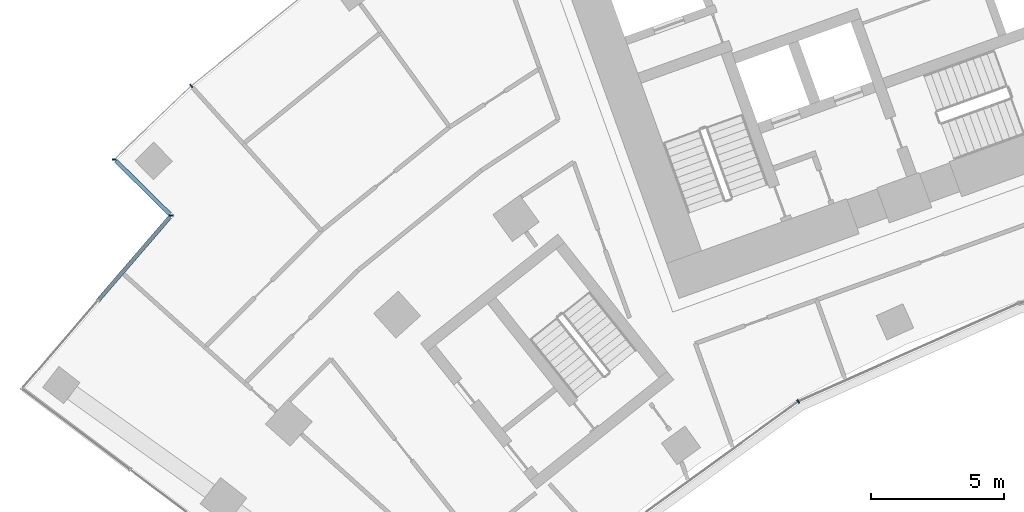
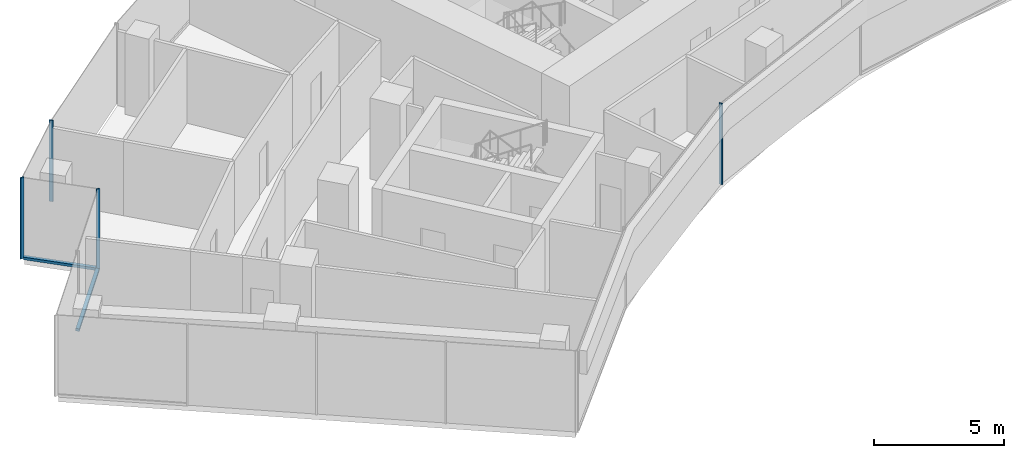
# One storey, part 3 of 20: 6 members, 4 elements without a shape of their own.
"""IFC4 building model written with IfcOpenShell, lengths in metres."""

import ifcopenshell
import ifcopenshell.guid

model = None  # the IFC model being written
_history = None  # IfcOwnerHistory: only IFC2X3 demands one
_inside = {}  # id of a spatial element -> (the spatial element, [elements in it])
_under = {}  # id of a project, library or spatial element -> (it, [spatial elements below it])
_declared = {}  # id of a project -> (the project, [libraries it declares])
_typed = {}  # id of a type object -> (the type object, [elements of that type])
_made_of = {}  # id of a material, layer set ... -> (it, [elements and type objects made of it])


def new_model(schema):
    """Start an empty IFC model of exactly this schema.

    Asked for "IFC4X3", IfcOpenShell would pick the latest addendum, in which some entities
    have other attributes; the version numbers below select the first issue.
    IFC2X3 requires an IfcOwnerHistory on every rooted entity: one is made here for all.
    """
    global model, _history
    if schema == "IFC4X3":
        model = ifcopenshell.file(schema_version=(4, 3, 0, 0))
    else:
        model = ifcopenshell.file(schema=schema)
    _inside.clear()
    _under.clear()
    _declared.clear()
    _typed.clear()
    _made_of.clear()
    _history = None
    if model.schema == "IFC2X3":
        org = make("IfcOrganization", Name="unknown")
        user = make(
            "IfcPersonAndOrganization",
            ThePerson=make("IfcPerson", FamilyName="unknown"),
            TheOrganization=org,
        )
        app = make(
            "IfcApplication",
            ApplicationDeveloper=org,
            Version="unknown",
            ApplicationFullName="unknown",
            ApplicationIdentifier="unknown",
        )
        _history = make(
            "IfcOwnerHistory",
            OwningUser=user,
            OwningApplication=app,
            ChangeAction="ADDED",
            CreationDate=0,
        )
    return model


def make(cls, **values):
    """One entity of the class cls with the attributes given. An attribute that is None is left unset."""
    return model.create_entity(
        cls, **{name: value for name, value in values.items() if value is not None}
    )


def rooted(cls, **values):
    """An entity with a GlobalId (a new one), such as an element, a storey or a relation."""
    return make(cls, GlobalId=ifcopenshell.guid.new(), OwnerHistory=_history, **values)


def si_unit(unit_type, name, prefix=None):
    """IfcSIUnit, for example si_unit("LENGTHUNIT", "METRE", prefix="MILLI")."""
    return make("IfcSIUnit", UnitType=unit_type, Prefix=prefix, Name=name)


def assignment(units):
    """IfcUnitAssignment: the units of a project."""
    return None if units is None else make("IfcUnitAssignment", Units=units)


def point(xyz):
    """IfcCartesianPoint."""
    return None if xyz is None else make("IfcCartesianPoint", Coordinates=xyz)


def direction(xyz):
    """IfcDirection."""
    return None if xyz is None else make("IfcDirection", DirectionRatios=xyz)


def frame(location, z_axis=None, x_axis=None):
    """IfcAxis2Placement3D, a coordinate frame: its origin and axes. An axis left out is left unset."""
    return make(
        "IfcAxis2Placement3D",
        Location=point(location),
        Axis=direction(z_axis),
        RefDirection=direction(x_axis),
    )


def frame_2d(location, x_axis=None):
    """IfcAxis2Placement2D, a coordinate frame in the plane: its origin and x axis."""
    return make(
        "IfcAxis2Placement2D", Location=point(location), RefDirection=direction(x_axis)
    )


def origin():
    """The frame at (0, 0, 0) with its axes left unset."""
    return frame((0.0, 0.0, 0.0))


def origin_2d():
    """The frame at (0, 0) in the plane with its x axis left unset."""
    return frame_2d((0.0, 0.0))


def place(relative_to, where):
    """IfcLocalPlacement: puts the frame where relative to a parent placement (None: the world)."""
    return make(
        "IfcLocalPlacement", PlacementRelTo=relative_to, RelativePlacement=where
    )


def context(
    kind, dimensions, precision=None, world=None, true_north=None, identifier=None
):
    """IfcGeometricRepresentationContext, for example the 3D "Model" context."""
    return make(
        "IfcGeometricRepresentationContext",
        ContextIdentifier=identifier,
        ContextType=kind,
        CoordinateSpaceDimension=dimensions,
        Precision=precision,
        WorldCoordinateSystem=world,
        TrueNorth=true_north,
    )


def subcontext(parent, identifier, kind, view, scale=None):
    """IfcGeometricRepresentationSubContext, for example "Body" below "Model"."""
    return make(
        "IfcGeometricRepresentationSubContext",
        ContextIdentifier=identifier,
        ContextType=kind,
        ParentContext=parent,
        TargetScale=scale,
        TargetView=view,
    )


def project(units=None, contexts=None):
    """IfcProject with its units and contexts."""
    return rooted(
        "IfcProject",
        Name="project",
        RepresentationContexts=contexts,
        UnitsInContext=assignment(units),
    )


def spatial(cls, under=None, at=None, **own):
    """A site, building, storey or space (cls), placed at a placement, below another one or the project."""
    s = rooted(cls, ObjectPlacement=at, **own)
    if under is not None:
        _under.setdefault(under.id(), (under, []))[1].append(s)
    return s


def profile(cls, at=None, kind="AREA", **sizes):
    """A parametric profile (cls). Its sizes go by their IFC names, for example OverallWidth=200.0."""
    return make(cls, ProfileType=kind, Position=at, **sizes)


def rectangle(**sizes):
    """IfcRectangleProfileDef."""
    return profile("IfcRectangleProfileDef", **sizes)


def extrude(swept, where, along, depth):
    """IfcExtrudedAreaSolid: the profile swept, set in the frame where, extruded along a direction by depth."""
    return make(
        "IfcExtrudedAreaSolid",
        SweptArea=swept,
        Position=where,
        ExtrudedDirection=direction(along),
        Depth=depth,
    )


def shape(context_of_items, identifier, shape_type, items):
    """IfcShapeRepresentation: the items that make up one representation, for example the "Body"."""
    return make(
        "IfcShapeRepresentation",
        ContextOfItems=context_of_items,
        RepresentationIdentifier=identifier,
        RepresentationType=shape_type,
        Items=items,
    )


def material(Name=None, Category=None):
    """IfcMaterial."""
    return make("IfcMaterial", Name=Name, Category=Category)


def layer(
    of_material, thickness, ventilated=None, Name=None, Category=None, Priority=None
):
    """IfcMaterialLayer: one layer of a wall or slab, of a material (None: an air gap)."""
    return make(
        "IfcMaterialLayer",
        Material=of_material,
        LayerThickness=thickness,
        IsVentilated=ventilated,
        Name=Name,
        Category=Category,
        Priority=Priority,
    )


def layer_set(layers, Name=None):
    """IfcMaterialLayerSet."""
    return make("IfcMaterialLayerSet", MaterialLayers=layers, LayerSetName=Name)


def material_profile(
    of_material, cross_section, Name=None, Category=None, Priority=None
):
    """IfcMaterialProfile: a cross section and its material."""
    return make(
        "IfcMaterialProfile",
        Name=Name,
        Material=of_material,
        Profile=cross_section,
        Priority=Priority,
        Category=Category,
    )


def profile_set(profiles, Name=None, composite=None):
    """IfcMaterialProfileSet."""
    return make(
        "IfcMaterialProfileSet",
        Name=Name,
        MaterialProfiles=profiles,
        CompositeProfile=composite,
    )


def made_of(thing, what):
    """Note that an element or type object is made of a material, layer set ...; save() writes the relation."""
    if what is not None:
        _made_of.setdefault(what.id(), (what, []))[1].append(thing)
    return thing


def type_object(cls, material=None, **own):
    """A type object (cls), such as IfcWallType, which elements share."""
    return made_of(rooted(cls, **own), material)


def element(
    cls,
    number,
    at=None,
    inside=None,
    cuts=None,
    type_object=None,
    material=None,
    context=None,
    identifier="Body",
    shape_type=None,
    held_by="IfcProductDefinitionShape",
    body=None,
    shapes=None,
    **own,
):
    """One element of the class cls, such as IfcWall. Its Tag is "e" and its number.

    at: its placement. inside: the storey or other place that contains it. cuts: it is an
    opening in that element (IfcRelVoidsElement). A single representation is given by context,
    identifier, shape_type and body (its items); several are given by shapes. held_by: the class
    of the entity that holds the representations. save() writes the other relations.
    """
    e = rooted(cls, Tag="e%d" % number, ObjectPlacement=at, **own)
    if body is not None:
        shapes = [shape(context, identifier, shape_type, body)]
    if shapes is not None:
        e.Representation = make(held_by, Representations=shapes)
    if inside is not None:
        _inside.setdefault(inside.id(), (inside, []))[1].append(e)
    if cuts is not None:
        rooted(
            "IfcRelVoidsElement", RelatingBuildingElement=cuts, RelatedOpeningElement=e
        )
    if type_object is not None:
        _typed.setdefault(type_object.id(), (type_object, []))[1].append(e)
    return made_of(e, material)


def aggregate(whole, parts):
    """IfcRelAggregates: a whole, such as a stair, and the parts it consists of."""
    return rooted("IfcRelAggregates", RelatingObject=whole, RelatedObjects=parts)


def save(model, path):
    """Write the relations noted so far, then the file.

    IfcRelAggregates (storeys below a building ...), IfcRelContainedInSpatialStructure (elements
    in a storey), IfcRelDefinesByType, IfcRelAssociatesMaterial and IfcRelDeclares: one each for
    every whole, place, type object, material and project.
    """
    for whole, parts in _under.values():
        aggregate(whole, parts)
    for where, things in _inside.values():
        rooted(
            "IfcRelContainedInSpatialStructure",
            RelatedElements=things,
            RelatingStructure=where,
        )
    for kind, things in _typed.values():
        rooted("IfcRelDefinesByType", RelatedObjects=things, RelatingType=kind)
    for what, things in _made_of.values():
        rooted("IfcRelAssociatesMaterial", RelatedObjects=things, RelatingMaterial=what)
    for by, libraries in _declared.values():
        rooted("IfcRelDeclares", RelatingContext=by, RelatedDefinitions=libraries)
    model.write(path)


model = new_model("IFC4")

# Units and contexts
model_context = context("Model", 3, precision=1e-05, world=origin(), true_north=direction((0.0, 1.0)))
body_context = subcontext(model_context, "Body", "Model", "MODEL_VIEW")
ifc_project = project(units=[si_unit("LENGTHUNIT", "METRE"), si_unit("AREAUNIT", "SQUARE_METRE"), si_unit("VOLUMEUNIT", "CUBIC_METRE"), si_unit("PLANEANGLEUNIT", "RADIAN"), si_unit("MASSUNIT", "GRAM", prefix="KILO")], contexts=[model_context])

# Site, building, storey
site_placement = place(None, origin())
site = spatial("IfcSite", under=ifc_project, at=site_placement, CompositionType="ELEMENT")
building_placement = place(site_placement, origin())
building = spatial("IfcBuilding", under=site, at=building_placement, Name="Stone Belt Terrace Tower", CompositionType="ELEMENT")
storey_placement = place(building_placement, frame((0.0, 0.0, 170.60009765625)))
storey = spatial("IfcBuildingStorey", under=building, at=storey_placement, Name="L41", CompositionType="ELEMENT", Elevation=170.60009765625)

# Curtain wall, member
ifc_material = material(Name="Aluminium 6063-T6 anodised frame", Category="aluminium")
ifc_layer_1 = layer(ifc_material, 0.14990234375)
ifc_layer_set_1 = layer_set([ifc_layer_1], Name="CW-A unitised convex-face curtain wall")
curtain_wall_type_1 = type_object("IfcCurtainWallType", Name="CW-A unitised convex-face curtain wall", PredefinedType="NOTDEFINED", material=ifc_layer_set_1)
curtain_wall_1_placement = place(storey_placement, origin())
curtain_wall_1 = element("IfcCurtainWall", 1, at=curtain_wall_1_placement, inside=storey, type_object=curtain_wall_type_1, Name="CW-A convex face L41", PredefinedType="NOTDEFINED")
ifc_material_profile_1 = material_profile(ifc_material, rectangle(XDim=0.14990234375, YDim=0.06005859375, at=origin_2d()), Name="Aluminium 6063-T6 60x150")
ifc_profile_set_1 = profile_set([ifc_material_profile_1], Name="Aluminium 6063-T6 anodised frame")
member_type_1 = type_object("IfcMemberType", Name="CW-A mullion 60 x 150", PredefinedType="MULLION", material=ifc_profile_set_1)
member_1_placement = place(storey_placement, frame((-44.546875, 49.4755859375, 0.0), z_axis=(0.0, 0.0, 1.0), x_axis=(0.660573481499, -0.75076139721, 0.0)))
member_1 = element("IfcMember", 2, at=member_1_placement, type_object=member_type_1, Name="CW-A mullion 15", PredefinedType="MULLION", context=body_context, shape_type="SweptSolid", body=[
    extrude(rectangle(XDim=0.14990234375, YDim=0.06005859375, at=origin_2d()), origin(), (0.0, 0.0, 1.0), 3.7998046875),
])
aggregate(curtain_wall_1, [member_1])

ifc_layer_2 = layer(ifc_material, 0.14990234375)
ifc_layer_set_2 = layer_set([ifc_layer_2], Name="CW-B unitised concave-face curtain wall")
curtain_wall_type_2 = type_object("IfcCurtainWallType", Name="CW-B unitised concave-face curtain wall", PredefinedType="NOTDEFINED", material=ifc_layer_set_2)
curtain_wall_2_placement = place(storey_placement, origin())
curtain_wall_2 = element("IfcCurtainWall", 3, at=curtain_wall_2_placement, inside=storey, type_object=curtain_wall_type_2, Name="CW-B concave face L41", PredefinedType="NOTDEFINED")
ifc_material_profile_2 = material_profile(ifc_material, rectangle(XDim=0.14990234375, YDim=0.050048828125, at=origin_2d()), Name="Aluminium 6063-T6 50x150")
ifc_profile_set_2 = profile_set([ifc_material_profile_2], Name="Aluminium 6063-T6 anodised frame")
member_type_2 = type_object("IfcMemberType", Name="CW-B mullion 50 x 150", PredefinedType="MULLION", material=ifc_profile_set_2)
member_2_placement = place(storey_placement, frame((-21.71240234375, 37.606689453125, 0.0), z_axis=(0.0, 0.0, 1.0), x_axis=(-0.5, 0.866025403784, 0.0)))
member_2 = element("IfcMember", 4, at=member_2_placement, type_object=member_type_2, Name="CW-B mullion 3", PredefinedType="MULLION", context=body_context, shape_type="SweptSolid", body=[
    extrude(rectangle(XDim=0.14990234375, YDim=0.050048828125, at=origin_2d()), origin(), (0.0, 0.0, 1.0), 3.7998046875),
])
aggregate(curtain_wall_2, [member_2])

ifc_layer_3 = layer(ifc_material, 0.14990234375)
ifc_layer_set_3 = layer_set([ifc_layer_3], Name="CW-C stick curtain wall, horn ends and notches")
curtain_wall_type_3 = type_object("IfcCurtainWallType", Name="CW-C stick curtain wall, horn ends and notches", PredefinedType="NOTDEFINED", material=ifc_layer_set_3)
curtain_wall_3_placement = place(storey_placement, origin())
curtain_wall_3 = element("IfcCurtainWall", 5, at=curtain_wall_3_placement, inside=storey, type_object=curtain_wall_type_3, Name="CW-C notch face L41", PredefinedType="NOTDEFINED")
ifc_material_profile_3 = material_profile(ifc_material, rectangle(XDim=0.14990234375, YDim=0.06005859375, at=origin_2d()), Name="Aluminium 6063-T6 60x150")
ifc_profile_set_3 = profile_set([ifc_material_profile_3], Name="Aluminium 6063-T6 anodised frame")
member_type_3 = type_object("IfcMemberType", Name="CW-C mullion 60 x 150", PredefinedType="MULLION", material=ifc_profile_set_3)
member_3_placement = place(storey_placement, frame((-47.4365234375, 46.715087890625, 0.0), z_axis=(0.0, 0.0, 1.0), x_axis=(0.999966480105, -0.008187714406, 0.0)))
member_3 = element("IfcMember", 6, at=member_3_placement, type_object=member_type_3, Name="CW-C mullion 1", PredefinedType="MULLION", context=body_context, shape_type="SweptSolid", body=[
    extrude(rectangle(XDim=0.14990234375, YDim=0.06005859375, at=origin_2d()), origin(), (0.0, 0.0, 1.0), 3.7998046875),
])

curtain_wall_4_placement = place(storey_placement, origin())
curtain_wall_4 = element("IfcCurtainWall", 7, at=curtain_wall_4_placement, inside=storey, type_object=curtain_wall_type_3, Name="CW-C notch face L41", PredefinedType="NOTDEFINED")
member_4_placement = place(storey_placement, frame((-45.29638671875, 44.602783203125, 0.0), z_axis=(0.0, 0.0, 1.0), x_axis=(0.999185209744, 0.040359839301, 0.0)))
member_4 = element("IfcMember", 8, at=member_4_placement, type_object=member_type_3, Name="CW-C mullion 1", PredefinedType="MULLION", context=body_context, shape_type="SweptSolid", body=[
    extrude(rectangle(XDim=0.14990234375, YDim=0.06005859375, at=origin_2d()), origin(), (0.0, 0.0, 1.0), 3.7998046875),
])

# Member
ifc_material_profile_4 = material_profile(ifc_material, rectangle(XDim=0.14990234375, YDim=0.1201171875, at=origin_2d()), Name="Aluminium 6063-T6 150x120")
ifc_profile_set_4 = profile_set([ifc_material_profile_4], Name="Aluminium 6063-T6 anodised frame")
member_type_4 = type_object("IfcMemberType", Name="CW-C transom 120 x 150", PredefinedType="USERDEFINED", material=ifc_profile_set_4)
member_5_placement = place(storey_placement, frame((-47.383544921875, 46.66259765625, 0.059814453125), z_axis=(0.711744791626, -0.702438147877, 0.0), x_axis=(0.702438147877, 0.711744791626, 0.0)))
member_5 = element("IfcMember", 9, at=member_5_placement, type_object=member_type_4, Name="CW-C transom 1.1", ObjectType="TRANSOM", PredefinedType="USERDEFINED", context=body_context, shape_type="SweptSolid", body=[
    extrude(rectangle(XDim=0.14990234375, YDim=0.1201171875, at=origin_2d()), origin(), (0.0, 0.0, 1.0), 2.859375),
])

aggregate(curtain_wall_3, [member_3, member_5])

member_6_placement = place(storey_placement, frame((-45.343994140625, 44.54736328125, 0.059814453125), z_axis=(-0.652755588772, -0.757568572029, 0.0), x_axis=(0.757568572029, -0.652755588772, 0.0)))
member_6 = element("IfcMember", 10, at=member_6_placement, type_object=member_type_4, Name="CW-C transom 1.1", ObjectType="TRANSOM", PredefinedType="USERDEFINED", context=body_context, shape_type="SweptSolid", body=[
    extrude(rectangle(XDim=0.14990234375, YDim=0.1201171875, at=origin_2d()), origin(), (0.0, 0.0, 1.0), 4.12060546875),
])

aggregate(curtain_wall_4, [member_4, member_6])

save(model, "model.ifc")
